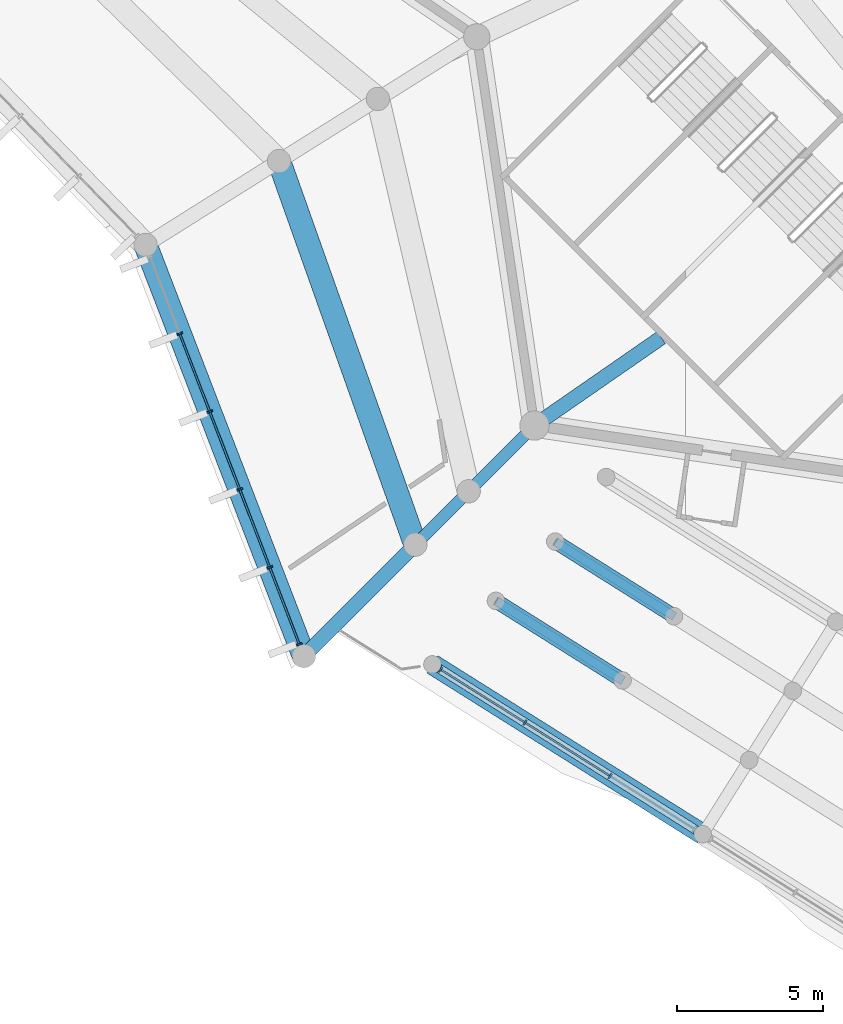
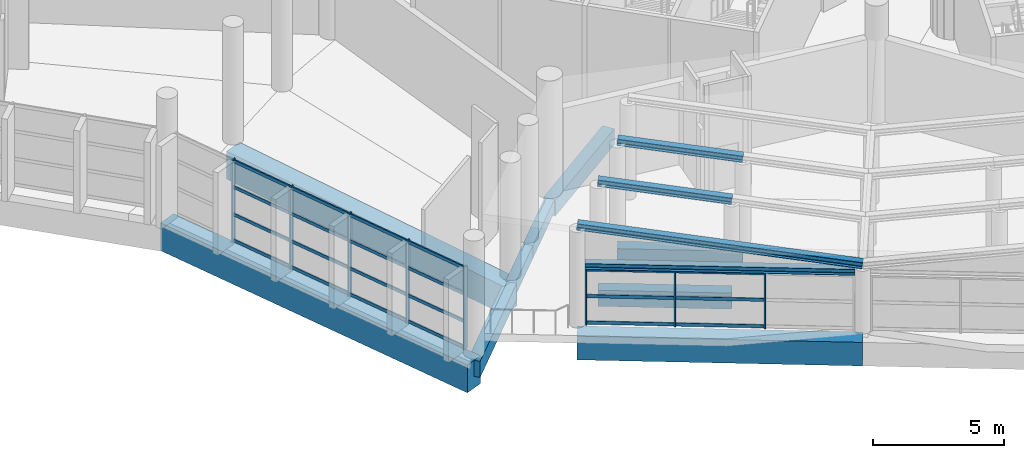
# One storey, part 8 of 271: 30 members, 13 beams, 2 elements without a shape of their own.
"""IFC4 building model written with IfcOpenShell, lengths in metres."""

from ifc_helpers import new_model, si_unit, direction, frame, origin, origin_2d, place, context, subcontext, project, spatial, rectangle, i_section, extrude, material, layer, layer_set, material_profile, profile_set, type_object, element, aggregate, save


model = new_model("IFC4")

# Units and contexts
model_context = context("Model", 3, precision=1e-05, world=origin(), true_north=direction((0.0, 1.0)))
body_context = subcontext(model_context, "Body", "Model", "MODEL_VIEW")
ifc_project = project(units=[si_unit("LENGTHUNIT", "METRE"), si_unit("AREAUNIT", "SQUARE_METRE"), si_unit("VOLUMEUNIT", "CUBIC_METRE"), si_unit("PLANEANGLEUNIT", "RADIAN"), si_unit("MASSUNIT", "GRAM", prefix="KILO")], contexts=[model_context])

# Site, building, storey
site_placement = place(None, origin())
site = spatial("IfcSite", under=ifc_project, at=site_placement, CompositionType="ELEMENT")
building_placement = place(site_placement, origin())
building = spatial("IfcBuilding", under=site, at=building_placement, Name="Meseta Stadium", CompositionType="ELEMENT")
storey_placement = place(building_placement, frame((0.0, 0.0, 6.5)))
storey = spatial("IfcBuildingStorey", under=building, at=storey_placement, Name="L01", CompositionType="ELEMENT", Elevation=6.5)

# Beams
ifc_material_1 = material(Name="Steel S355", Category="steel")
ifc_material_profile_1 = material_profile(ifc_material_1, i_section(OverallWidth=0.300048828125, OverallDepth=0.300048828125, WebThickness=0.010986328125, FlangeThickness=0.01904296875, FilletRadius=0.027099609375, at=origin_2d()), Name="HEB 300")
ifc_profile_set_1 = profile_set([ifc_material_profile_1], Name="Steel S355")
beam_type_1 = type_object("IfcBeamType", Name="Gate roof beam HEB 300", PredefinedType="BEAM", material=ifc_profile_set_1)
beam_1_placement = place(storey_placement, frame((-88.415283203125, -97.516845703125, 2.774658203125), z_axis=(0.846725649112, -0.532029769032, 0.0), x_axis=(0.532029769032, 0.846725649112, 0.0)))
element("IfcBeam", 1, at=beam_1_placement, inside=storey, type_object=beam_type_1, Name="Gate 6 head beam", PredefinedType="BEAM", context=body_context, shape_type="SweptSolid", body=[
    extrude(i_section(OverallWidth=0.300048828125, OverallDepth=0.300048828125, WebThickness=0.010986328125, FlangeThickness=0.01904296875, FilletRadius=0.027099609375, at=origin_2d()), origin(), (0.0, 0.0, 1.0), 10.333740234375),
])
ifc_material_2 = material(Name="Steel S355", Category="steel")
ifc_material_profile_2 = material_profile(ifc_material_2, i_section(OverallWidth=0.300048828125, OverallDepth=0.300048828125, WebThickness=0.010986328125, FlangeThickness=0.01904296875, FilletRadius=0.027099609375, at=origin_2d()), Name="HEB 300")
ifc_profile_set_2 = profile_set([ifc_material_profile_2], Name="Steel S355")
beam_type_2 = type_object("IfcBeamType", Name="Gate roof beam HEB 300 rafter", PredefinedType="BEAM", material=ifc_profile_set_2)
beam_2_placement = place(storey_placement, frame((-84.462646484375, -93.150390625, 4.5458984375), z_axis=(0.83854094542, -0.526906039336, -0.138632999558), x_axis=(0.532043544989, 0.846716993, 0.0)))
element("IfcBeam", 2, at=beam_2_placement, inside=storey, type_object=beam_type_2, Name="Gate 6 roof rafter", PredefinedType="BEAM", context=body_context, shape_type="SweptSolid", body=[
    extrude(i_section(OverallWidth=0.300048828125, OverallDepth=0.300048828125, WebThickness=0.010986328125, FlangeThickness=0.01904296875, FilletRadius=0.027099609375, at=origin_2d()), origin(), (0.0, 0.0, 1.0), 4.851806640625),
])
beam_3_placement = place(storey_placement, frame((-86.49365234375, -95.181396484375, 4.57958984375), z_axis=(0.838555120685, -0.526874755679, -0.138666150886), x_axis=(0.532014449592, 0.846735274702, 0.0)))
element("IfcBeam", 3, at=beam_3_placement, inside=storey, type_object=beam_type_2, Name="Gate 6 roof rafter", PredefinedType="BEAM", context=body_context, shape_type="SweptSolid", body=[
    extrude(i_section(OverallWidth=0.300048828125, OverallDepth=0.300048828125, WebThickness=0.010986328125, FlangeThickness=0.01904296875, FilletRadius=0.027099609375, at=origin_2d()), origin(), (0.0, 0.0, 1.0), 5.174560546875),
])
beam_4_placement = place(storey_placement, frame((-88.66943359375, -97.357177734375, 4.615478515625), z_axis=(0.838543051713, -0.526897818913, -0.13865150143), x_axis=(0.532036635909, 0.846721334354, 0.0)))
element("IfcBeam", 4, at=beam_4_placement, inside=storey, type_object=beam_type_2, Name="Gate 6 roof rafter", PredefinedType="BEAM", context=body_context, shape_type="SweptSolid", body=[
    extrude(i_section(OverallWidth=0.300048828125, OverallDepth=0.300048828125, WebThickness=0.010986328125, FlangeThickness=0.01904296875, FilletRadius=0.027099609375, at=origin_2d()), origin(), (0.0, 0.0, 1.0), 11.040283203125),
])
ifc_material_3 = material(Name="Concrete C40/50", Category="concrete")
ifc_material_profile_3 = material_profile(ifc_material_3, rectangle(XDim=0.39990234375, YDim=0.60009765625, at=origin_2d()), Name="RC 400x600")
ifc_profile_set_3 = profile_set([ifc_material_profile_3], Name="Concrete C40/50")
beam_type_3 = type_object("IfcBeamType", Name="RC beam 400x600", PredefinedType="BEAM", material=ifc_profile_set_3)
beam_5_placement = place(storey_placement, frame((-85.173583984375, -89.173583984375, -0.64990234375), z_axis=(-0.707106781187, -0.707106781187, 0.0), x_axis=(0.707106781187, -0.707106781187, 0.0)))
element("IfcBeam", 5, at=beam_5_placement, inside=storey, type_object=beam_type_3, Name="L01 radial beam frame 40 line R to M", PredefinedType="BEAM", context=body_context, shape_type="SweptSolid", body=[
    extrude(rectangle(XDim=0.39990234375, YDim=0.60009765625, at=origin_2d()), origin(), (0.0, 0.0, 1.0), 3.18603515625),
])
beam_6_placement = place(storey_placement, frame((-87.426513671875, -91.426513671875, -0.64990234375), z_axis=(-0.707106781187, -0.707106781187, 0.0), x_axis=(0.707106781187, -0.707106781187, 0.0)))
element("IfcBeam", 6, at=beam_6_placement, inside=storey, type_object=beam_type_3, Name="L01 radial beam frame 40 line M to Q", PredefinedType="BEAM", context=body_context, shape_type="SweptSolid", body=[
    extrude(rectangle(XDim=0.39990234375, YDim=0.60009765625, at=origin_2d()), origin(), (0.0, 0.0, 1.0), 2.585693359375),
])
ifc_material_4 = material(Name="Concrete C40/50", Category="concrete")
ifc_material_profile_4 = material_profile(ifc_material_4, rectangle(XDim=0.5, YDim=0.75, at=origin_2d()), Name="RC 500x750")
ifc_profile_set_4 = profile_set([ifc_material_profile_4], Name="Concrete C40/50")
beam_type_4 = type_object("IfcBeamType", Name="RC beam 500x750", PredefinedType="BEAM", material=ifc_profile_set_4)
beam_7_placement = place(storey_placement, frame((-80.830078125, -86.16357421875, -0.72509765625), z_axis=(-0.821929323184, -0.569589490503, 0.0), x_axis=(0.569589490503, -0.821929323184, 0.0)))
element("IfcBeam", 7, at=beam_7_placement, inside=storey, type_object=beam_type_4, Name="L01 radial beam frame 40 line P to R", PredefinedType="BEAM", context=body_context, shape_type="SweptSolid", body=[
    extrude(rectangle(XDim=0.5, YDim=0.75, at=origin_2d()), origin(), (0.0, 0.0, 1.0), 5.284423828125),
])
beam_8_placement = place(storey_placement, frame((-89.2548828125, -93.2548828125, -0.72509765625), z_axis=(-0.707106781187, -0.707106781187, 0.0), x_axis=(0.707106781187, -0.707106781187, 0.0)))
element("IfcBeam", 8, at=beam_8_placement, inside=storey, type_object=beam_type_4, Name="L01 radial beam frame 40 line Q to O", PredefinedType="BEAM", context=body_context, shape_type="SweptSolid", body=[
    extrude(rectangle(XDim=0.5, YDim=0.75, at=origin_2d()), origin(), (0.0, 0.0, 1.0), 5.39990234375),
])
beam_9_placement = place(storey_placement, frame((-84.462646484375, -93.150390625, -0.72509765625), z_axis=(0.846716993, -0.532043544989, 0.0), x_axis=(0.532043544989, 0.846716993, 0.0)))
element("IfcBeam", 9, at=beam_9_placement, inside=storey, type_object=beam_type_4, Name="Gate 6 floor beam", PredefinedType="BEAM", context=body_context, shape_type="SweptSolid", body=[
    extrude(rectangle(XDim=0.5, YDim=0.75, at=origin_2d()), origin(), (0.0, 0.0, 1.0), 4.804931640625),
])
beam_10_placement = place(storey_placement, frame((-86.49365234375, -95.181396484375, -0.72509765625), z_axis=(0.846735274702, -0.532014449592, 0.0), x_axis=(0.532014449592, 0.846735274702, 0.0)))
element("IfcBeam", 10, at=beam_10_placement, inside=storey, type_object=beam_type_4, Name="Gate 6 floor beam", PredefinedType="BEAM", context=body_context, shape_type="SweptSolid", body=[
    extrude(rectangle(XDim=0.5, YDim=0.75, at=origin_2d()), origin(), (0.0, 0.0, 1.0), 5.12451171875),
])
ifc_material_5 = material(Name="Concrete C40/50", Category="concrete")
ifc_material_profile_5 = material_profile(ifc_material_5, rectangle(XDim=0.699951171875, YDim=1.10009765625, at=origin_2d()), Name="RC 700x1100")
ifc_profile_set_5 = profile_set([ifc_material_profile_5], Name="Concrete C40/50")
beam_type_5 = type_object("IfcBeamType", Name="RC beam 700x1100", PredefinedType="BEAM", material=ifc_profile_set_5)
beam_11_placement = place(storey_placement, frame((-88.66943359375, -97.357177734375, -0.89990234375), z_axis=(0.846721334354, -0.532036635909, 0.0), x_axis=(0.532036635909, 0.846721334354, 0.0)))
element("IfcBeam", 11, at=beam_11_placement, inside=storey, type_object=beam_type_5, Name="Gate 6 floor beam", PredefinedType="BEAM", context=body_context, shape_type="SweptSolid", body=[
    extrude(rectangle(XDim=0.699951171875, YDim=1.10009765625, at=origin_2d()), origin(), (0.0, 0.0, 1.0), 10.933837890625),
])
ifc_material_6 = material(Name="Concrete C40/50", Category="concrete")
ifc_material_profile_6 = material_profile(ifc_material_6, rectangle(XDim=0.800048828125, YDim=1.300048828125, at=origin_2d()), Name="RC 800x1300")
ifc_profile_set_6 = profile_set([ifc_material_profile_6], Name="Concrete C40/50")
beam_type_6 = type_object("IfcBeamType", Name="RC beam 800x1300", PredefinedType="BEAM", material=ifc_profile_set_6)
beam_12_placement = place(storey_placement, frame((-93.924560546875, -80.113037109375, -1.0), z_axis=(0.334820067045, -0.942282082343, 0.0), x_axis=(0.942282082343, 0.334820067045, 0.0)))
element("IfcBeam", 12, at=beam_12_placement, inside=storey, type_object=beam_type_6, Name="L01 ring beam frame 39 line Q", PredefinedType="BEAM", context=body_context, shape_type="SweptSolid", body=[
    extrude(rectangle(XDim=0.800048828125, YDim=1.300048828125, at=origin_2d()), origin(), (0.0, 0.0, 1.0), 13.94677734375),
])
beam_13_placement = place(storey_placement, frame((-98.496826171875, -82.986083984375, -1.0), z_axis=(0.359293357588, -0.933224669195, 0.0), x_axis=(0.933224669195, 0.359293357588, 0.0)))
element("IfcBeam", 13, at=beam_13_placement, inside=storey, type_object=beam_type_6, Name="L01 ring beam frame 39 line O", PredefinedType="BEAM", context=body_context, shape_type="SweptSolid", body=[
    extrude(rectangle(XDim=0.800048828125, YDim=1.300048828125, at=origin_2d()), origin(), (0.0, 0.0, 1.0), 15.09521484375),
])

# Curtain wall, members
ifc_material_7 = material(Name="Aluminium", Category="aluminium")
ifc_layer_1 = layer(ifc_material_7, 0.199951171875)
ifc_layer_set_1 = layer_set([ifc_layer_1], Name="Ring shopfront curtain wall")
curtain_wall_type_1 = type_object("IfcCurtainWallType", Name="Ring shopfront curtain wall", PredefinedType="NOTDEFINED", material=ifc_layer_set_1)
curtain_wall_1_placement = place(storey_placement, origin())
curtain_wall_1 = element("IfcCurtainWall", 14, at=curtain_wall_1_placement, inside=storey, type_object=curtain_wall_type_1, Name="Ring glazing L01 F39", PredefinedType="NOTDEFINED")
ifc_material_8 = material(Name="Aluminium", Category="aluminium")
ifc_material_profile_7 = material_profile(ifc_material_8, rectangle(XDim=0.199951171875, YDim=0.06005859375, at=origin_2d()), Name="CW 200x60")
ifc_profile_set_7 = profile_set([ifc_material_profile_7], Name="Aluminium")
member_type_1 = type_object("IfcMemberType", Name="Ring CW mullion 60x200", PredefinedType="MULLION", material=ifc_profile_set_7)
member_1_placement = place(storey_placement, frame((-97.325927734375, -86.02734375, 0.0), z_axis=(0.0, 0.0, 1.0), x_axis=(0.933221328815, 0.359302033734, 0.0)))
member_1 = element("IfcMember", 15, at=member_1_placement, type_object=member_type_1, Name="CWR1 mullion 2", PredefinedType="MULLION", context=body_context, shape_type="SweptSolid", body=[
    extrude(rectangle(XDim=0.199951171875, YDim=0.06005859375, at=origin_2d()), origin(), (0.0, 0.0, 1.0), 3.85009765625),
])
member_2_placement = place(storey_placement, frame((-96.298583984375, -88.695556640625, 0.0), z_axis=(0.0, 0.0, 1.0), x_axis=(0.933221328815, 0.359302033734, 0.0)))
member_2 = element("IfcMember", 16, at=member_2_placement, type_object=member_type_1, Name="CWR1 mullion 3", PredefinedType="MULLION", context=body_context, shape_type="SweptSolid", body=[
    extrude(rectangle(XDim=0.199951171875, YDim=0.06005859375, at=origin_2d()), origin(), (0.0, 0.0, 1.0), 3.85009765625),
])
member_3_placement = place(storey_placement, frame((-95.271484375, -91.36376953125, 0.0), z_axis=(0.0, 0.0, 1.0), x_axis=(0.933221328815, 0.359302033734, 0.0)))
member_3 = element("IfcMember", 17, at=member_3_placement, type_object=member_type_1, Name="CWR1 mullion 4", PredefinedType="MULLION", context=body_context, shape_type="SweptSolid", body=[
    extrude(rectangle(XDim=0.199951171875, YDim=0.06005859375, at=origin_2d()), origin(), (0.0, 0.0, 1.0), 3.85009765625),
])
member_4_placement = place(storey_placement, frame((-94.244140625, -94.03173828125, 0.0), z_axis=(0.0, 0.0, 1.0), x_axis=(0.933221328815, 0.359302033734, 0.0)))
member_4 = element("IfcMember", 18, at=member_4_placement, type_object=member_type_1, Name="CWR1 mullion 5", PredefinedType="MULLION", context=body_context, shape_type="SweptSolid", body=[
    extrude(rectangle(XDim=0.199951171875, YDim=0.06005859375, at=origin_2d()), origin(), (0.0, 0.0, 1.0), 3.85009765625),
])
member_5_placement = place(storey_placement, frame((-93.227783203125, -96.671875, 0.0), z_axis=(0.0, 0.0, 1.0), x_axis=(0.933221328815, 0.359302033734, 0.0)))
member_5 = element("IfcMember", 19, at=member_5_placement, type_object=member_type_1, Name="CWR1 mullion 6", PredefinedType="MULLION", context=body_context, shape_type="SweptSolid", body=[
    extrude(rectangle(XDim=0.199951171875, YDim=0.06005859375, at=origin_2d()), origin(), (0.0, 0.0, 1.0), 3.85009765625),
])

ifc_material_9 = material(Name="Aluminium", Category="aluminium")
ifc_layer_2 = layer(ifc_material_9, 0.199951171875)
ifc_layer_set_2 = layer_set([ifc_layer_2], Name="Gate hall curtain wall")
curtain_wall_type_2 = type_object("IfcCurtainWallType", Name="Gate hall curtain wall", PredefinedType="NOTDEFINED", material=ifc_layer_set_2)
curtain_wall_2_placement = place(storey_placement, origin())
curtain_wall_2 = element("IfcCurtainWall", 20, at=curtain_wall_2_placement, inside=storey, type_object=curtain_wall_type_2, Name="Gate 6 hall glazing", PredefinedType="NOTDEFINED")
member_6_placement = place(storey_placement, frame((-82.582275390625, -101.18212890625, 0.0), z_axis=(0.0, 0.0, 1.0), x_axis=(-0.532034592979, -0.846722618024, 0.0)))
member_6 = element("IfcMember", 21, at=member_6_placement, type_object=member_type_1, Name="CWG1 mullion 2", PredefinedType="MULLION", context=body_context, shape_type="SweptSolid", body=[
    extrude(rectangle(XDim=0.199951171875, YDim=0.06005859375, at=origin_2d()), origin(), (0.0, 0.0, 1.0), 2.62451171875),
])
member_7_placement = place(storey_placement, frame((-85.498779296875, -99.349365234375, 0.0), z_axis=(0.0, 0.0, 1.0), x_axis=(-0.532034592979, -0.846722618024, 0.0)))
member_7 = element("IfcMember", 22, at=member_7_placement, type_object=member_type_1, Name="CWG1 mullion 3", PredefinedType="MULLION", context=body_context, shape_type="SweptSolid", body=[
    extrude(rectangle(XDim=0.199951171875, YDim=0.06005859375, at=origin_2d()), origin(), (0.0, 0.0, 1.0), 2.62451171875),
])
member_8_placement = place(storey_placement, frame((-88.389892578125, -97.53271484375, 0.0), z_axis=(0.0, 0.0, 1.0), x_axis=(-0.532034592979, -0.846722618024, 0.0)))
member_8 = element("IfcMember", 23, at=member_8_placement, type_object=member_type_1, Name="CWG1 mullion 4", PredefinedType="MULLION", context=body_context, shape_type="SweptSolid", body=[
    extrude(rectangle(XDim=0.199951171875, YDim=0.06005859375, at=origin_2d()), origin(), (0.0, 0.0, 1.0), 2.62451171875),
])

# Member
ifc_material_10 = material(Name="Aluminium", Category="aluminium")
ifc_material_profile_8 = material_profile(ifc_material_10, rectangle(XDim=0.06005859375, YDim=0.14990234375, at=origin_2d()), Name="CW 60x150")
ifc_profile_set_8 = profile_set([ifc_material_profile_8], Name="Aluminium")
member_type_2 = type_object("IfcMemberType", Name="Ring CW transom 60x150", PredefinedType="USERDEFINED", material=ifc_profile_set_8)
member_9_placement = place(storey_placement, frame((-97.315185546875, -86.055419921875, 0.074951171875), z_axis=(0.359283001664, -0.93322865618, 0.0), x_axis=(0.93322865618, 0.359283001664, 0.0)))
member_9 = element("IfcMember", 24, at=member_9_placement, type_object=member_type_2, Name="CWR1 transom 2.1", ObjectType="TRANSOM", PredefinedType="USERDEFINED", context=body_context, shape_type="SweptSolid", body=[
    extrude(rectangle(XDim=0.06005859375, YDim=0.14990234375, at=origin_2d()), origin(), (0.0, 0.0, 1.0), 2.799072265625),
])

member_10_placement = place(storey_placement, frame((-97.315185546875, -86.055419921875, 1.283447265625), z_axis=(0.359283001664, -0.93322865618, 0.0), x_axis=(0.93322865618, 0.359283001664, 0.0)))
member_10 = element("IfcMember", 25, at=member_10_placement, type_object=member_type_2, Name="CWR1 transom 2.2", ObjectType="TRANSOM", PredefinedType="USERDEFINED", context=body_context, shape_type="SweptSolid", body=[
    extrude(rectangle(XDim=0.06005859375, YDim=0.14990234375, at=origin_2d()), origin(), (0.0, 0.0, 1.0), 2.799072265625),
])

member_11_placement = place(storey_placement, frame((-97.315185546875, -86.055419921875, 2.566650390625), z_axis=(0.359283001664, -0.93322865618, 0.0), x_axis=(0.93322865618, 0.359283001664, 0.0)))
member_11 = element("IfcMember", 26, at=member_11_placement, type_object=member_type_2, Name="CWR1 transom 2.3", ObjectType="TRANSOM", PredefinedType="USERDEFINED", context=body_context, shape_type="SweptSolid", body=[
    extrude(rectangle(XDim=0.06005859375, YDim=0.14990234375, at=origin_2d()), origin(), (0.0, 0.0, 1.0), 2.799072265625),
])

member_12_placement = place(storey_placement, frame((-97.315185546875, -86.055419921875, 3.77490234375), z_axis=(0.359283001664, -0.93322865618, 0.0), x_axis=(0.93322865618, 0.359283001664, 0.0)))
member_12 = element("IfcMember", 27, at=member_12_placement, type_object=member_type_2, Name="CWR1 transom 2.4", ObjectType="TRANSOM", PredefinedType="USERDEFINED", context=body_context, shape_type="SweptSolid", body=[
    extrude(rectangle(XDim=0.06005859375, YDim=0.14990234375, at=origin_2d()), origin(), (0.0, 0.0, 1.0), 2.799072265625),
])

member_13_placement = place(storey_placement, frame((-96.287841796875, -88.7236328125, 0.074951171875), z_axis=(0.359283001664, -0.93322865618, 0.0), x_axis=(0.93322865618, 0.359283001664, 0.0)))
member_13 = element("IfcMember", 28, at=member_13_placement, type_object=member_type_2, Name="CWR1 transom 3.1", ObjectType="TRANSOM", PredefinedType="USERDEFINED", context=body_context, shape_type="SweptSolid", body=[
    extrude(rectangle(XDim=0.06005859375, YDim=0.14990234375, at=origin_2d()), origin(), (0.0, 0.0, 1.0), 2.799072265625),
])

member_14_placement = place(storey_placement, frame((-96.287841796875, -88.7236328125, 1.283447265625), z_axis=(0.359283001664, -0.93322865618, 0.0), x_axis=(0.93322865618, 0.359283001664, 0.0)))
member_14 = element("IfcMember", 29, at=member_14_placement, type_object=member_type_2, Name="CWR1 transom 3.2", ObjectType="TRANSOM", PredefinedType="USERDEFINED", context=body_context, shape_type="SweptSolid", body=[
    extrude(rectangle(XDim=0.06005859375, YDim=0.14990234375, at=origin_2d()), origin(), (0.0, 0.0, 1.0), 2.799072265625),
])

member_15_placement = place(storey_placement, frame((-96.287841796875, -88.7236328125, 2.566650390625), z_axis=(0.359283001664, -0.93322865618, 0.0), x_axis=(0.93322865618, 0.359283001664, 0.0)))
member_15 = element("IfcMember", 30, at=member_15_placement, type_object=member_type_2, Name="CWR1 transom 3.3", ObjectType="TRANSOM", PredefinedType="USERDEFINED", context=body_context, shape_type="SweptSolid", body=[
    extrude(rectangle(XDim=0.06005859375, YDim=0.14990234375, at=origin_2d()), origin(), (0.0, 0.0, 1.0), 2.799072265625),
])

member_16_placement = place(storey_placement, frame((-96.287841796875, -88.7236328125, 3.77490234375), z_axis=(0.359283001664, -0.93322865618, 0.0), x_axis=(0.93322865618, 0.359283001664, 0.0)))
member_16 = element("IfcMember", 31, at=member_16_placement, type_object=member_type_2, Name="CWR1 transom 3.4", ObjectType="TRANSOM", PredefinedType="USERDEFINED", context=body_context, shape_type="SweptSolid", body=[
    extrude(rectangle(XDim=0.06005859375, YDim=0.14990234375, at=origin_2d()), origin(), (0.0, 0.0, 1.0), 2.799072265625),
])

member_17_placement = place(storey_placement, frame((-95.2607421875, -91.3916015625, 0.074951171875), z_axis=(0.359358964399, -0.933199407793, 0.0), x_axis=(0.933199407793, 0.359358964399, 0.0)))
member_17 = element("IfcMember", 32, at=member_17_placement, type_object=member_type_2, Name="CWR1 transom 4.1", ObjectType="TRANSOM", PredefinedType="USERDEFINED", context=body_context, shape_type="SweptSolid", body=[
    extrude(rectangle(XDim=0.06005859375, YDim=0.14990234375, at=origin_2d()), origin(), (0.0, 0.0, 1.0), 2.799072265625),
])

member_18_placement = place(storey_placement, frame((-95.2607421875, -91.3916015625, 1.283447265625), z_axis=(0.359358964399, -0.933199407793, 0.0), x_axis=(0.933199407793, 0.359358964399, 0.0)))
member_18 = element("IfcMember", 33, at=member_18_placement, type_object=member_type_2, Name="CWR1 transom 4.2", ObjectType="TRANSOM", PredefinedType="USERDEFINED", context=body_context, shape_type="SweptSolid", body=[
    extrude(rectangle(XDim=0.06005859375, YDim=0.14990234375, at=origin_2d()), origin(), (0.0, 0.0, 1.0), 2.799072265625),
])

member_19_placement = place(storey_placement, frame((-95.2607421875, -91.3916015625, 2.566650390625), z_axis=(0.359358964399, -0.933199407793, 0.0), x_axis=(0.933199407793, 0.359358964399, 0.0)))
member_19 = element("IfcMember", 34, at=member_19_placement, type_object=member_type_2, Name="CWR1 transom 4.3", ObjectType="TRANSOM", PredefinedType="USERDEFINED", context=body_context, shape_type="SweptSolid", body=[
    extrude(rectangle(XDim=0.06005859375, YDim=0.14990234375, at=origin_2d()), origin(), (0.0, 0.0, 1.0), 2.799072265625),
])

member_20_placement = place(storey_placement, frame((-95.2607421875, -91.3916015625, 3.77490234375), z_axis=(0.359358964399, -0.933199407793, 0.0), x_axis=(0.933199407793, 0.359358964399, 0.0)))
member_20 = element("IfcMember", 35, at=member_20_placement, type_object=member_type_2, Name="CWR1 transom 4.4", ObjectType="TRANSOM", PredefinedType="USERDEFINED", context=body_context, shape_type="SweptSolid", body=[
    extrude(rectangle(XDim=0.06005859375, YDim=0.14990234375, at=origin_2d()), origin(), (0.0, 0.0, 1.0), 2.799072265625),
])

member_21_placement = place(storey_placement, frame((-94.2333984375, -94.059814453125, 0.074951171875), z_axis=(0.35930402419, -0.933220562461, 0.0), x_axis=(0.933220562461, 0.35930402419, 0.0)))
member_21 = element("IfcMember", 36, at=member_21_placement, type_object=member_type_2, Name="CWR1 transom 5.1", ObjectType="TRANSOM", PredefinedType="USERDEFINED", context=body_context, shape_type="SweptSolid", body=[
    extrude(rectangle(XDim=0.06005859375, YDim=0.14990234375, at=origin_2d()), origin(), (0.0, 0.0, 1.0), 2.768798828125),
])

member_22_placement = place(storey_placement, frame((-94.2333984375, -94.059814453125, 1.283447265625), z_axis=(0.35930402419, -0.933220562461, 0.0), x_axis=(0.933220562461, 0.35930402419, 0.0)))
member_22 = element("IfcMember", 37, at=member_22_placement, type_object=member_type_2, Name="CWR1 transom 5.2", ObjectType="TRANSOM", PredefinedType="USERDEFINED", context=body_context, shape_type="SweptSolid", body=[
    extrude(rectangle(XDim=0.06005859375, YDim=0.14990234375, at=origin_2d()), origin(), (0.0, 0.0, 1.0), 2.768798828125),
])

member_23_placement = place(storey_placement, frame((-94.2333984375, -94.059814453125, 2.566650390625), z_axis=(0.35930402419, -0.933220562461, 0.0), x_axis=(0.933220562461, 0.35930402419, 0.0)))
member_23 = element("IfcMember", 38, at=member_23_placement, type_object=member_type_2, Name="CWR1 transom 5.3", ObjectType="TRANSOM", PredefinedType="USERDEFINED", context=body_context, shape_type="SweptSolid", body=[
    extrude(rectangle(XDim=0.06005859375, YDim=0.14990234375, at=origin_2d()), origin(), (0.0, 0.0, 1.0), 2.768798828125),
])

member_24_placement = place(storey_placement, frame((-94.2333984375, -94.059814453125, 3.77490234375), z_axis=(0.35930402419, -0.933220562461, 0.0), x_axis=(0.933220562461, 0.35930402419, 0.0)))
member_24 = element("IfcMember", 39, at=member_24_placement, type_object=member_type_2, Name="CWR1 transom 5.4", ObjectType="TRANSOM", PredefinedType="USERDEFINED", context=body_context, shape_type="SweptSolid", body=[
    extrude(rectangle(XDim=0.06005859375, YDim=0.14990234375, at=origin_2d()), origin(), (0.0, 0.0, 1.0), 2.768798828125),
])

aggregate(curtain_wall_1, [member_1, member_2, member_3, member_4, member_5, member_9, member_10, member_11, member_12, member_13, member_14, member_15, member_16, member_17, member_18, member_19, member_20, member_21, member_22, member_23, member_24])

member_25_placement = place(storey_placement, frame((-82.607666015625, -101.166015625, 0.074951171875), z_axis=(-0.84673960976, 0.532007550007, 0.0), x_axis=(-0.532007550007, -0.84673960976, 0.0)))
member_25 = element("IfcMember", 40, at=member_25_placement, type_object=member_type_2, Name="CWG1 transom 2.1", ObjectType="TRANSOM", PredefinedType="USERDEFINED", context=body_context, shape_type="SweptSolid", body=[
    extrude(rectangle(XDim=0.06005859375, YDim=0.14990234375, at=origin_2d()), origin(), (0.0, 0.0, 1.0), 3.384521484375),
])

member_26_placement = place(storey_placement, frame((-82.607666015625, -101.166015625, 1.312255859375), z_axis=(-0.84673960976, 0.532007550007, 0.0), x_axis=(-0.532007550007, -0.84673960976, 0.0)))
member_26 = element("IfcMember", 41, at=member_26_placement, type_object=member_type_2, Name="CWG1 transom 2.2", ObjectType="TRANSOM", PredefinedType="USERDEFINED", context=body_context, shape_type="SweptSolid", body=[
    extrude(rectangle(XDim=0.06005859375, YDim=0.14990234375, at=origin_2d()), origin(), (0.0, 0.0, 1.0), 3.384521484375),
])

member_27_placement = place(storey_placement, frame((-82.607666015625, -101.166015625, 2.549560546875), z_axis=(-0.84673960976, 0.532007550007, 0.0), x_axis=(-0.532007550007, -0.84673960976, 0.0)))
member_27 = element("IfcMember", 42, at=member_27_placement, type_object=member_type_2, Name="CWG1 transom 2.3", ObjectType="TRANSOM", PredefinedType="USERDEFINED", context=body_context, shape_type="SweptSolid", body=[
    extrude(rectangle(XDim=0.06005859375, YDim=0.14990234375, at=origin_2d()), origin(), (0.0, 0.0, 1.0), 3.384521484375),
])

member_28_placement = place(storey_placement, frame((-85.524169921875, -99.33349609375, 0.074951171875), z_axis=(-0.846728353322, 0.532025465256, 0.0), x_axis=(-0.532025465256, -0.846728353322, 0.0)))
member_28 = element("IfcMember", 43, at=member_28_placement, type_object=member_type_2, Name="CWG1 transom 3.1", ObjectType="TRANSOM", PredefinedType="USERDEFINED", context=body_context, shape_type="SweptSolid", body=[
    extrude(rectangle(XDim=0.06005859375, YDim=0.14990234375, at=origin_2d()), origin(), (0.0, 0.0, 1.0), 3.3544921875),
])

member_29_placement = place(storey_placement, frame((-85.524169921875, -99.33349609375, 1.312255859375), z_axis=(-0.846728353322, 0.532025465256, 0.0), x_axis=(-0.532025465256, -0.846728353322, 0.0)))
member_29 = element("IfcMember", 44, at=member_29_placement, type_object=member_type_2, Name="CWG1 transom 3.2", ObjectType="TRANSOM", PredefinedType="USERDEFINED", context=body_context, shape_type="SweptSolid", body=[
    extrude(rectangle(XDim=0.06005859375, YDim=0.14990234375, at=origin_2d()), origin(), (0.0, 0.0, 1.0), 3.3544921875),
])

member_30_placement = place(storey_placement, frame((-85.524169921875, -99.33349609375, 2.549560546875), z_axis=(-0.846728353322, 0.532025465256, 0.0), x_axis=(-0.532025465256, -0.846728353322, 0.0)))
member_30 = element("IfcMember", 45, at=member_30_placement, type_object=member_type_2, Name="CWG1 transom 3.3", ObjectType="TRANSOM", PredefinedType="USERDEFINED", context=body_context, shape_type="SweptSolid", body=[
    extrude(rectangle(XDim=0.06005859375, YDim=0.14990234375, at=origin_2d()), origin(), (0.0, 0.0, 1.0), 3.3544921875),
])

aggregate(curtain_wall_2, [member_6, member_7, member_8, member_25, member_26, member_27, member_28, member_29, member_30])

save(model, "model.ifc")
